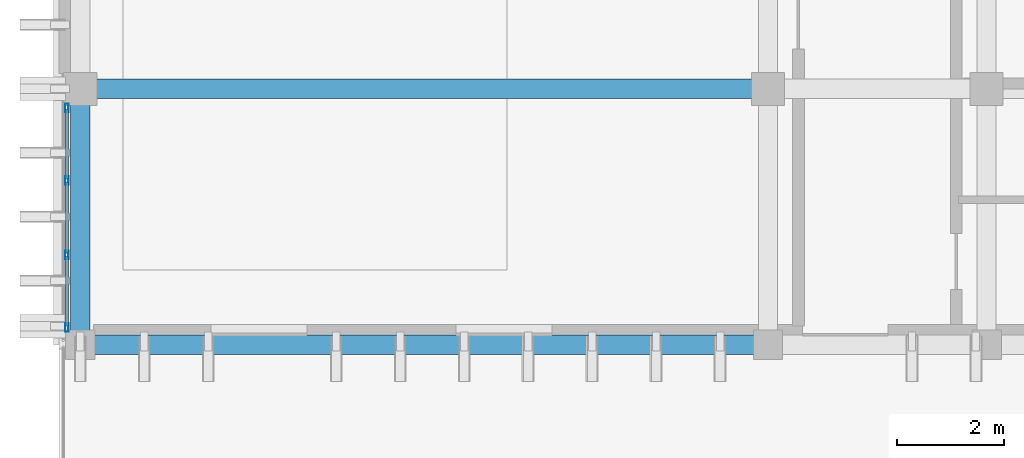
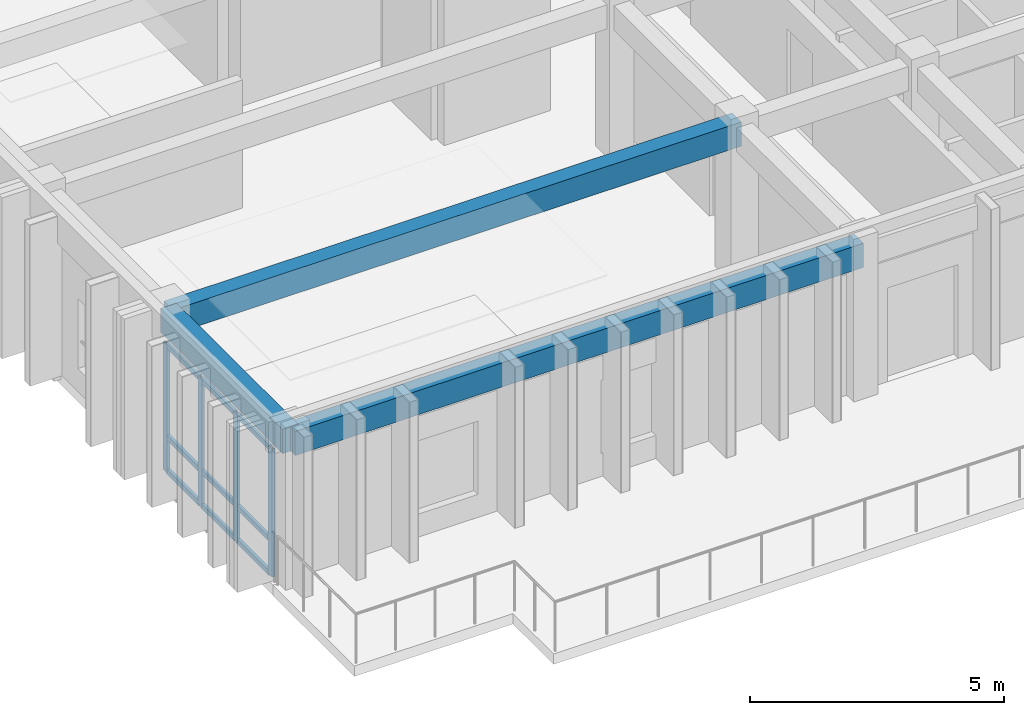
# One storey, part 2 of 50: 13 members, 3 beams, 1 element without a shape of its own.
"""IFC4 building model written with IfcOpenShell, lengths in metres."""

from ifc_helpers import new_model, si_unit, direction, frame, origin, origin_2d, place, context, subcontext, project, spatial, rectangle, hollow_rectangle, extrude, material, layer, layer_set, material_profile, profile_set, type_object, element, aggregate, save


model = new_model("IFC4")

# Units and contexts
model_context = context("Model", 3, precision=1e-05, world=origin(), true_north=direction((0.0, 1.0)))
body_context = subcontext(model_context, "Body", "Model", "MODEL_VIEW")
ifc_project = project(units=[si_unit("LENGTHUNIT", "METRE"), si_unit("AREAUNIT", "SQUARE_METRE"), si_unit("VOLUMEUNIT", "CUBIC_METRE"), si_unit("PLANEANGLEUNIT", "RADIAN"), si_unit("MASSUNIT", "GRAM", prefix="KILO")], contexts=[model_context])

# Site, building, storey
site_placement = place(None, origin())
site = spatial("IfcSite", under=ifc_project, at=site_placement, CompositionType="ELEMENT")
building_placement = place(site_placement, origin())
building = spatial("IfcBuilding", under=site, at=building_placement, Name="Nakhvara Creek Congress Hotel", CompositionType="ELEMENT")
storey_placement = place(building_placement, frame((0.0, 0.0, 42.60009765625)))
storey = spatial("IfcBuildingStorey", under=building, at=storey_placement, Name="L10", CompositionType="ELEMENT", Elevation=42.60009765625)

# Beams
ifc_material_1 = material(Name="Concrete C40/50", Category="concrete")
ifc_material_profile_1 = material_profile(ifc_material_1, rectangle(XDim=0.360107421875, YDim=0.580078125, at=origin_2d()), Name="RC-BM 360x580", Category="LoadBearing")
ifc_profile_set_1 = profile_set([ifc_material_profile_1], Name="Concrete C40/50")
beam_type = type_object("IfcBeamType", Name="BM-RC-360X580", PredefinedType="BEAM", material=ifc_profile_set_1)
beam_1_placement = place(storey_placement, frame((149.449951171875, 67.199951171875, 3.369873046875), z_axis=(1.0, 0.0, 0.0), x_axis=(0.0, 1.0, 0.0)))
element("IfcBeam", 1, at=beam_1_placement, inside=storey, type_object=beam_type, Name="Beam B09-L10-2630", PredefinedType="BEAM", context=body_context, shape_type="SweptSolid", body=[
    extrude(rectangle(XDim=0.360107421875, YDim=0.580078125, at=origin_2d()), origin(), (0.0, 0.0, 1.0), 12.900146484375),
])
beam_2_placement = place(storey_placement, frame((149.449951171875, 62.39990234375, 3.369873046875), z_axis=(0.0, 1.0, 0.0), x_axis=(-1.0, 0.0, 0.0)))
element("IfcBeam", 2, at=beam_2_placement, inside=storey, type_object=beam_type, Name="Beam B09-L10-2631", PredefinedType="BEAM", context=body_context, shape_type="SweptSolid", body=[
    extrude(rectangle(XDim=0.360107421875, YDim=0.580078125, at=origin_2d()), origin(), (0.0, 0.0, 1.0), 4.800048828125),
])
beam_3_placement = place(storey_placement, frame((149.449951171875, 62.39990234375, 3.369873046875), z_axis=(1.0, 0.0, 0.0), x_axis=(0.0, 1.0, 0.0)))
element("IfcBeam", 3, at=beam_3_placement, inside=storey, type_object=beam_type, Name="Beam B09-L10-2701", PredefinedType="BEAM", context=body_context, shape_type="SweptSolid", body=[
    extrude(rectangle(XDim=0.360107421875, YDim=0.580078125, at=origin_2d()), origin(), (0.0, 0.0, 1.0), 12.900146484375),
])

# Curtain wall, members
ifc_material_2 = material(Name="Bronze-anodised aluminium AW-6063-T6 and double-silver low-E glass", Category="aluminium")
ifc_layer = layer(ifc_material_2, 0.199951171875)
ifc_layer_set = layer_set([ifc_layer], Name="Bronze-anodised aluminium AW-6063-T6 and double-silver low-E glass")
curtain_wall_type = type_object("IfcCurtainWallType", Name="CW-HTL-UNIT", PredefinedType="USERDEFINED", material=ifc_layer_set)
curtain_wall_placement = place(storey_placement, origin())
curtain_wall = element("IfcCurtainWall", 4, at=curtain_wall_placement, inside=storey, type_object=curtain_wall_type, Name="Curtain Wall CW315", ObjectType="UNITISED", PredefinedType="USERDEFINED")
ifc_material_3 = material(Name="Bronze-anodised aluminium AW-6063-T6", Category="aluminium")
ifc_material_profile_2 = material_profile(ifc_material_3, hollow_rectangle(XDim=0.06494140625, YDim=0.159912109375, WallThickness=0.00390625, at=origin_2d()), Name="ALU-MULL 65x160x4", Category="LoadBearing")
ifc_profile_set_2 = profile_set([ifc_material_profile_2], Name="Bronze-anodised aluminium AW-6063-T6")
member_type_1 = type_object("IfcMemberType", Name="CW-MULL-160", PredefinedType="MULLION", material=ifc_profile_set_2)
member_1_placement = place(storey_placement, frame((149.199951171875, 62.722412109375, 0.0), z_axis=(0.0, 0.0, 1.0), x_axis=(-1.0, 0.0, 0.0)))
member_1 = element("IfcMember", 5, at=member_1_placement, type_object=member_type_1, Name="CW315 mullion 1", PredefinedType="MULLION", context=body_context, shape_type="SweptSolid", body=[
    extrude(hollow_rectangle(XDim=0.06494140625, YDim=0.159912109375, WallThickness=0.00390625, at=origin_2d()), origin(), (0.0, 0.0, 1.0), 3.072021484375),
])
member_2_placement = place(storey_placement, frame((149.199951171875, 64.0849609375, 0.0), z_axis=(0.0, 0.0, 1.0), x_axis=(-1.0, 0.0, 0.0)))
member_2 = element("IfcMember", 6, at=member_2_placement, type_object=member_type_1, Name="CW315 mullion 2", PredefinedType="MULLION", context=body_context, shape_type="SweptSolid", body=[
    extrude(hollow_rectangle(XDim=0.06494140625, YDim=0.159912109375, WallThickness=0.00390625, at=origin_2d()), origin(), (0.0, 0.0, 1.0), 3.072021484375),
])
member_3_placement = place(storey_placement, frame((149.199951171875, 65.47998046875, 0.0), z_axis=(0.0, 0.0, 1.0), x_axis=(-1.0, 0.0, 0.0)))
member_3 = element("IfcMember", 7, at=member_3_placement, type_object=member_type_1, Name="CW315 mullion 3", PredefinedType="MULLION", context=body_context, shape_type="SweptSolid", body=[
    extrude(hollow_rectangle(XDim=0.06494140625, YDim=0.159912109375, WallThickness=0.00390625, at=origin_2d()), origin(), (0.0, 0.0, 1.0), 3.072021484375),
])
member_4_placement = place(storey_placement, frame((149.199951171875, 66.842529296875, 0.0), z_axis=(0.0, 0.0, 1.0), x_axis=(-1.0, 0.0, 0.0)))
member_4 = element("IfcMember", 8, at=member_4_placement, type_object=member_type_1, Name="CW315 mullion 4", PredefinedType="MULLION", context=body_context, shape_type="SweptSolid", body=[
    extrude(hollow_rectangle(XDim=0.06494140625, YDim=0.159912109375, WallThickness=0.00390625, at=origin_2d()), origin(), (0.0, 0.0, 1.0), 3.072021484375),
])
ifc_material_profile_3 = material_profile(ifc_material_3, hollow_rectangle(XDim=0.06494140625, YDim=0.1201171875, WallThickness=0.00390625, at=origin_2d()), Name="ALU-TRAN 65x120x4", Category="LoadBearing")
ifc_profile_set_3 = profile_set([ifc_material_profile_3], Name="Bronze-anodised aluminium AW-6063-T6")
member_type_2 = type_object("IfcMemberType", Name="CW-TRAN-120", PredefinedType="USERDEFINED", material=ifc_profile_set_3)
member_5_placement = place(storey_placement, frame((149.199951171875, 62.7548828125, 0.032470703125), z_axis=(0.0, 1.0, 0.0), x_axis=(-1.0, 0.0, 0.0)))
member_5 = element("IfcMember", 9, at=member_5_placement, type_object=member_type_2, Name="CW315 transom 1.1", ObjectType="TRANSOM", PredefinedType="USERDEFINED", context=body_context, shape_type="SweptSolid", body=[
    extrude(hollow_rectangle(XDim=0.06494140625, YDim=0.1201171875, WallThickness=0.00390625, at=origin_2d()), origin(), (0.0, 0.0, 1.0), 1.297607421875),
])
member_6_placement = place(storey_placement, frame((149.199951171875, 62.7548828125, 0.849853515625), z_axis=(0.0, 1.0, 0.0), x_axis=(-1.0, 0.0, 0.0)))
member_6 = element("IfcMember", 10, at=member_6_placement, type_object=member_type_2, Name="CW315 transom 1.2", ObjectType="TRANSOM", PredefinedType="USERDEFINED", context=body_context, shape_type="SweptSolid", body=[
    extrude(hollow_rectangle(XDim=0.06494140625, YDim=0.1201171875, WallThickness=0.00390625, at=origin_2d()), origin(), (0.0, 0.0, 1.0), 1.297607421875),
])
member_7_placement = place(storey_placement, frame((149.199951171875, 62.7548828125, 3.039306640625), z_axis=(0.0, 1.0, 0.0), x_axis=(-1.0, 0.0, 0.0)))
member_7 = element("IfcMember", 11, at=member_7_placement, type_object=member_type_2, Name="CW315 transom 1.3", ObjectType="TRANSOM", PredefinedType="USERDEFINED", context=body_context, shape_type="SweptSolid", body=[
    extrude(hollow_rectangle(XDim=0.06494140625, YDim=0.1201171875, WallThickness=0.00390625, at=origin_2d()), origin(), (0.0, 0.0, 1.0), 1.297607421875),
])
member_8_placement = place(storey_placement, frame((149.199951171875, 64.117431640625, 0.032470703125), z_axis=(0.0, 1.0, 0.0), x_axis=(-1.0, 0.0, 0.0)))
member_8 = element("IfcMember", 12, at=member_8_placement, type_object=member_type_2, Name="CW315 transom 2.1", ObjectType="TRANSOM", PredefinedType="USERDEFINED", context=body_context, shape_type="SweptSolid", body=[
    extrude(hollow_rectangle(XDim=0.06494140625, YDim=0.1201171875, WallThickness=0.00390625, at=origin_2d()), origin(), (0.0, 0.0, 1.0), 1.330078125),
])
member_9_placement = place(storey_placement, frame((149.199951171875, 64.117431640625, 0.849853515625), z_axis=(0.0, 1.0, 0.0), x_axis=(-1.0, 0.0, 0.0)))
member_9 = element("IfcMember", 13, at=member_9_placement, type_object=member_type_2, Name="CW315 transom 2.2", ObjectType="TRANSOM", PredefinedType="USERDEFINED", context=body_context, shape_type="SweptSolid", body=[
    extrude(hollow_rectangle(XDim=0.06494140625, YDim=0.1201171875, WallThickness=0.00390625, at=origin_2d()), origin(), (0.0, 0.0, 1.0), 1.330078125),
])
member_10_placement = place(storey_placement, frame((149.199951171875, 64.117431640625, 3.039306640625), z_axis=(0.0, 1.0, 0.0), x_axis=(-1.0, 0.0, 0.0)))
member_10 = element("IfcMember", 14, at=member_10_placement, type_object=member_type_2, Name="CW315 transom 2.3", ObjectType="TRANSOM", PredefinedType="USERDEFINED", context=body_context, shape_type="SweptSolid", body=[
    extrude(hollow_rectangle(XDim=0.06494140625, YDim=0.1201171875, WallThickness=0.00390625, at=origin_2d()), origin(), (0.0, 0.0, 1.0), 1.330078125),
])
member_11_placement = place(storey_placement, frame((149.199951171875, 65.512451171875, 0.032470703125), z_axis=(0.0, 1.0, 0.0), x_axis=(-1.0, 0.0, 0.0)))
member_11 = element("IfcMember", 15, at=member_11_placement, type_object=member_type_2, Name="CW315 transom 3.1", ObjectType="TRANSOM", PredefinedType="USERDEFINED", context=body_context, shape_type="SweptSolid", body=[
    extrude(hollow_rectangle(XDim=0.06494140625, YDim=0.1201171875, WallThickness=0.00390625, at=origin_2d()), origin(), (0.0, 0.0, 1.0), 1.297607421875),
])
member_12_placement = place(storey_placement, frame((149.199951171875, 65.512451171875, 0.849853515625), z_axis=(0.0, 1.0, 0.0), x_axis=(-1.0, 0.0, 0.0)))
member_12 = element("IfcMember", 16, at=member_12_placement, type_object=member_type_2, Name="CW315 transom 3.2", ObjectType="TRANSOM", PredefinedType="USERDEFINED", context=body_context, shape_type="SweptSolid", body=[
    extrude(hollow_rectangle(XDim=0.06494140625, YDim=0.1201171875, WallThickness=0.00390625, at=origin_2d()), origin(), (0.0, 0.0, 1.0), 1.297607421875),
])
member_13_placement = place(storey_placement, frame((149.199951171875, 65.512451171875, 3.039306640625), z_axis=(0.0, 1.0, 0.0), x_axis=(-1.0, 0.0, 0.0)))
member_13 = element("IfcMember", 17, at=member_13_placement, type_object=member_type_2, Name="CW315 transom 3.3", ObjectType="TRANSOM", PredefinedType="USERDEFINED", context=body_context, shape_type="SweptSolid", body=[
    extrude(hollow_rectangle(XDim=0.06494140625, YDim=0.1201171875, WallThickness=0.00390625, at=origin_2d()), origin(), (0.0, 0.0, 1.0), 1.297607421875),
])
aggregate(curtain_wall, [member_1, member_2, member_3, member_4, member_5, member_6, member_7, member_8, member_9, member_10, member_11, member_12, member_13])

save(model, "model.ifc")
